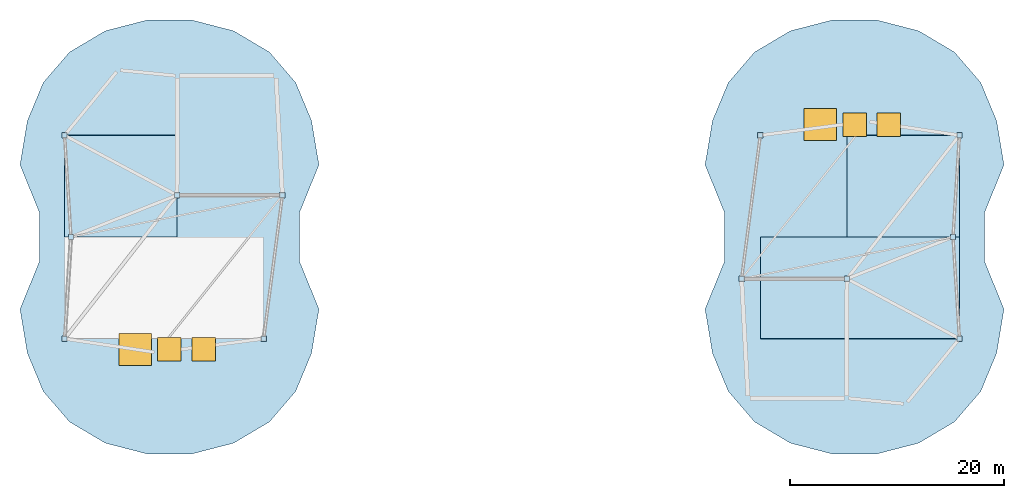
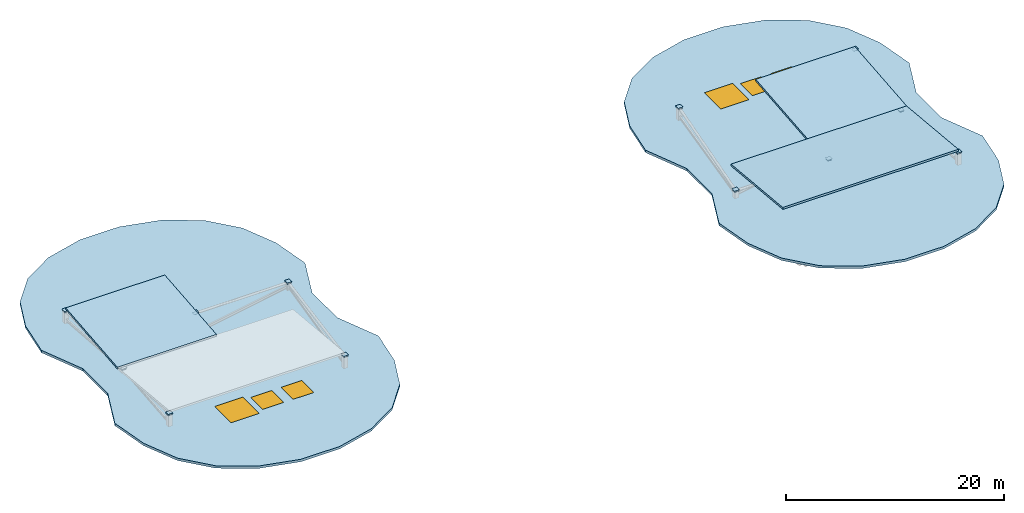
# One storey, part 6 of 6: 24 plates, 6 windows, 5 slabs, 6 openings.
"""IFC4 building model written with IfcOpenShell, lengths in metres."""

from ifc_helpers import new_model, si_unit, direction, frame, origin, origin_2d, place, context, subcontext, project, spatial, polyline, rectangle, outline, extrude, material, layer, layer_set, type_object, element, fill, save


model = new_model("IFC4")

# Units and contexts
model_context = context("Model", 3, precision=1e-05, world=origin(), true_north=direction((0.0, 1.0)))
body_context = subcontext(model_context, "Body", "Model", "MODEL_VIEW")
ifc_project = project(units=[si_unit("LENGTHUNIT", "METRE"), si_unit("AREAUNIT", "SQUARE_METRE"), si_unit("VOLUMEUNIT", "CUBIC_METRE"), si_unit("PLANEANGLEUNIT", "RADIAN"), si_unit("MASSUNIT", "GRAM", prefix="KILO"), si_unit("THERMODYNAMICTEMPERATUREUNIT", "KELVIN"), si_unit("POWERUNIT", "WATT")], contexts=[model_context])

# Site, building, storey
site_placement = place(None, origin())
site = spatial("IfcSite", under=ifc_project, at=site_placement, CompositionType="ELEMENT")
building_placement = place(site_placement, origin())
building = spatial("IfcBuilding", under=site, at=building_placement, Name="Cundina Bronze Exchange", CompositionType="ELEMENT")
storey_placement = place(building_placement, frame((0.0, 0.0, 291.60009765625)))
storey = spatial("IfcBuildingStorey", under=building, at=storey_placement, Name="RF", CompositionType="ELEMENT", Elevation=291.60009765625)

# Plates
ifc_material_1 = material(Name="Steel ASTM A572 Grade 50", Category="steel")
ifc_layer_1 = layer(ifc_material_1, 0.02001953125, Name="Steel ASTM A572 Grade 50", Category="steel")
ifc_layer_set_1 = layer_set([ifc_layer_1], Name="Steel ASTM A572 Grade 50")
plate_type_1 = type_object("IfcPlateType", Name="PLT-CAP-STL20", PredefinedType="USERDEFINED", material=ifc_layer_set_1)
for number, where, z_axis, x_axis, name in (
    (1, (-41.199951171875, 0.0, 0.35986328125), (0.0, 0.0, 1.0), (1.0, 0.0, 0.0), "RF Leg W V-Notch Sloped Rafter NW End Cap Plate 1"),
    (2, (-41.800048828125, 9.5, 1.262451171875), (0.0, 0.0, 1.0), (1.0, 0.0, 0.0), "RF Leg W V-Notch Sloped Rafter NW End Cap Plate 2"),
    (3, (-21.449951171875, 3.89990234375, 0.73046875), (0.0, 0.0, 1.0), (1.0, 0.0, 0.0), "RF Leg W V-Notch Sloped Rafter NE End Cap Plate 1"),
    (4, (-31.300048828125, 3.89990234375, 0.73046875), (0.0, 0.0, 1.0), (1.0, 0.0, 0.0), "RF Leg W V-Notch Sloped Rafter NE End Cap Plate 2"),
    (5, (-41.800048828125, -9.5, 1.262451171875), (0.0, 0.0, 1.0), (1.0, 0.0, 0.0), "RF Leg W V-Notch Sloped Rafter SW End Cap Plate 2"),
    (6, (-23.199951171875, -9.5, 1.262451171875), (0.0, 0.0, 1.0), (1.0, 0.0, 0.0), "RF Leg W V-Notch Sloped Rafter SE End Cap Plate 2"),
    (7, (41.199951171875, 0.0, 0.35986328125), (0.0, 0.0, 1.0), (1.0, 0.0, 0.0), "RF Leg E V-Notch Sloped Rafter NW End Cap Plate 1"),
    (8, (41.800048828125, -9.5, 1.262451171875), (0.0, 0.0, 1.0), (1.0, 0.0, 0.0), "RF Leg E V-Notch Sloped Rafter NW End Cap Plate 2"),
    (9, (21.449951171875, -3.89990234375, 0.73046875), (0.0, 0.0, 1.0), (1.0, 0.0, 0.0), "RF Leg E V-Notch Sloped Rafter NE End Cap Plate 1"),
    (10, (31.300048828125, -3.89990234375, 0.73046875), (0.0, 0.0, 1.0), (1.0, 0.0, 0.0), "RF Leg E V-Notch Sloped Rafter NE End Cap Plate 2"),
    (11, (41.800048828125, 9.5, 1.262451171875), (0.0, 0.0, 1.0), (1.0, 0.0, 0.0), "RF Leg E V-Notch Sloped Rafter SW End Cap Plate 2"),
    (12, (23.199951171875, 9.5, 1.262451171875), (0.0, 0.0, 1.0), (1.0, 0.0, 0.0), "RF Leg E V-Notch Sloped Rafter SE End Cap Plate 2"),
):
    element("IfcPlate", number, at=place(storey_placement, frame(where, z_axis=z_axis, x_axis=x_axis)), inside=storey, type_object=plate_type_1, Name=name, ObjectType="STIFFENER_PLATE", PredefinedType="USERDEFINED", context=body_context, shape_type="SweptSolid", body=[
        extrude(rectangle(XDim=0.449951171875, YDim=0.449951171875, at=origin_2d()), origin(), (0.0, 0.0, 1.0), 0.02001953125),
    ])
ifc_layer_2 = layer(ifc_material_1, 0.02490234375, Name="Steel ASTM A572 Grade 50", Category="steel")
ifc_layer_set_2 = layer_set([ifc_layer_2], Name="Steel ASTM A572 Grade 50")
plate_type_2 = type_object("IfcPlateType", Name="PLT-CAP-STL25", PredefinedType="USERDEFINED", material=ifc_layer_set_2)
for number, where, z_axis, x_axis, name in (
    (13, (-41.199951171875, 0.0, 0.49755859375), (0.0, 0.0, 1.0), (1.0, 0.0, 0.0), "RF Leg W V-Notch Pier Cap E0"),
    (14, (-21.449951171875, 3.89990234375, 0.867919921875), (0.0, 0.0, 1.0), (1.0, 0.0, 0.0), "RF Leg W V-Notch Pier Cap E1"),
    (15, (-41.800048828125, 9.5, 1.39990234375), (0.0, 0.0, 1.0), (1.0, 0.0, 0.0), "RF Leg W V-Notch Pier Cap RN0"),
    (16, (-31.300048828125, 3.89990234375, 0.867919921875), (0.0, 0.0, 1.0), (1.0, 0.0, 0.0), "RF Leg W V-Notch Pier Cap RN1"),
    (17, (-41.800048828125, -9.5, 1.39990234375), (0.0, 0.0, 1.0), (1.0, 0.0, 0.0), "RF Leg W V-Notch Pier Cap RS0"),
    (18, (-23.199951171875, -9.5, 1.39990234375), (0.0, 0.0, 1.0), (1.0, 0.0, 0.0), "RF Leg W V-Notch Pier Cap RS1"),
    (19, (41.199951171875, 0.0, 0.49755859375), (0.0, 0.0, 1.0), (1.0, 0.0, 0.0), "RF Leg E V-Notch Pier Cap E0"),
    (20, (21.449951171875, -3.89990234375, 0.867919921875), (0.0, 0.0, 1.0), (1.0, 0.0, 0.0), "RF Leg E V-Notch Pier Cap E1"),
    (21, (41.800048828125, -9.5, 1.39990234375), (0.0, 0.0, 1.0), (1.0, 0.0, 0.0), "RF Leg E V-Notch Pier Cap RN0"),
    (22, (31.300048828125, -3.89990234375, 0.867919921875), (0.0, 0.0, 1.0), (1.0, 0.0, 0.0), "RF Leg E V-Notch Pier Cap RN1"),
    (23, (41.800048828125, 9.5, 1.39990234375), (0.0, 0.0, 1.0), (1.0, 0.0, 0.0), "RF Leg E V-Notch Pier Cap RS0"),
    (24, (23.199951171875, 9.5, 1.39990234375), (0.0, 0.0, 1.0), (1.0, 0.0, 0.0), "RF Leg E V-Notch Pier Cap RS1"),
):
    element("IfcPlate", number, at=place(storey_placement, frame(where, z_axis=z_axis, x_axis=x_axis)), inside=storey, type_object=plate_type_2, Name=name, ObjectType="STIFFENER_PLATE", PredefinedType="USERDEFINED", context=body_context, shape_type="SweptSolid", body=[
        extrude(rectangle(XDim=0.5, YDim=0.5, at=origin_2d()), origin(), (0.0, 0.0, 1.0), 0.02490234375),
    ])

# Slabs
ifc_material_2 = material(Name="Heat-Strengthened Solar-Control Bronze Safety Glass 28mm", Category="glass")
ifc_layer_3 = layer(ifc_material_2, 0.2099609375, Name="Heat-Strengthened Solar-Control Bronze Safety Glass 28mm", Category="glass")
ifc_layer_set_3 = layer_set([ifc_layer_3], Name="Heat-Strengthened Solar-Control Bronze Safety Glass 28mm")
slab_type_1 = type_object("IfcSlabType", Name="SLB-GLZR-210", PredefinedType="ROOF", material=ifc_layer_set_3)
for number, where, z_axis, x_axis, name in (
    (25, (-41.800048828125, 0.0, 0.719970703125), (0.0, -0.094557965291, 0.995519357522), (1.0, 0.0, 0.0), "Crown W N Sloped V-Notch Glass Roof"),
    (26, (31.300048828125, 0.0, 0.719970703125), (0.0, -0.094557965291, 0.995519357522), (1.0, 0.0, 0.0), "Crown E N Sloped V-Notch Glass Roof"),
):
    element("IfcSlab", number, at=place(storey_placement, frame(where, z_axis=z_axis, x_axis=x_axis)), inside=storey, type_object=slab_type_1, Name=name, PredefinedType="ROOF", context=body_context, shape_type="SweptSolid", body=[
        extrude(outline(polyline([(0.0, 0.0), (10.5, 0.0), (10.5, 9.542757685447329), (0.0, 9.542757685447329), (0.0, 0.0)])), origin(), (0.0, 0.0, -1.0), 0.2099609375),
    ])
slab_1_placement = place(storey_placement, frame((41.800048828125, 0.0, 0.719970703125), z_axis=(0.0, 0.094557965291, 0.995519357522), x_axis=(-1.0, 0.0, 0.0)))
element("IfcSlab", 27, at=slab_1_placement, inside=storey, type_object=slab_type_1, Name="Crown E S Sloped V-Notch Glass Roof", PredefinedType="ROOF", context=body_context, shape_type="SweptSolid", body=[
    extrude(outline(polyline([(0.0, 0.0), (18.60009765625, 0.0), (18.60009765625, 9.542757685447329), (0.0, 9.542757685447329), (0.0, 0.0)])), origin(), (0.0, 0.0, -1.0), 0.2099609375),
])

# Slab, openings, windows
ifc_material_3 = material(Name="Concrete C50/60", Category="concrete")
ifc_layer_4 = layer(ifc_material_3, 0.27001953125, Name="Concrete C50/60", Category="concrete")
ifc_layer_set_4 = layer_set([ifc_layer_4], Name="Concrete C50/60")
slab_type_2 = type_object("IfcSlabType", Name="SLB-ROOF-270", PredefinedType="ROOF", material=ifc_layer_set_4)
slab_2_placement = place(storey_placement, frame((0.0, 0.0, -0.27001953125)))
slab_2 = element("IfcSlab", 28, at=slab_2_placement, inside=storey, type_object=slab_type_2, Name="RF Leg W Roof Slab", PredefinedType="ROOF", context=body_context, shape_type="SweptSolid", body=[
    extrude(outline(polyline([(-19.85205078125, 2.283935546875), (-18.035888671875, 6.738037109375), (-18.72509765625, 10.85302734375), (-20.208984375, 14.425048828125), (-22.660888671875, 17.27294921875), (-25.998046875, 19.2548828125), (-29.930908203125, 20.27197265625), (-34.069091796875, 20.27197265625), (-38.001953125, 19.2548828125), (-41.339111328125, 17.27294921875), (-43.791015625, 14.425048828125), (-45.27490234375, 10.85302734375), (-45.964111328125, 6.738037109375), (-44.14794921875, 2.283935546875), (-44.14794921875, -2.283935546875), (-45.964111328125, -6.738037109375), (-45.27490234375, -10.85302734375), (-43.791015625, -14.425048828125), (-41.339111328125, -17.27294921875), (-38.001953125, -19.2548828125), (-34.069091796875, -20.27197265625), (-29.930908203125, -20.27197265625), (-25.998046875, -19.2548828125), (-22.660888671875, -17.27294921875), (-20.208984375, -14.425048828125), (-18.72509765625, -10.85302734375), (-18.035888671875, -6.738037109375), (-19.85205078125, -2.283935546875), (-19.85205078125, 2.283935546875)]), holes=[polyline([(-36.699951171875, -9.0), (-33.699951171875, -9.0), (-33.699951171875, -12.0), (-36.699951171875, -12.0), (-36.699951171875, -9.0)]), polyline([(-29.89990234375, -9.39990234375), (-27.699951171875, -9.39990234375), (-27.699951171875, -11.60009765625), (-29.89990234375, -11.60009765625), (-29.89990234375, -9.39990234375)]), polyline([(-33.10009765625, -9.39990234375), (-30.89990234375, -9.39990234375), (-30.89990234375, -11.60009765625), (-33.10009765625, -11.60009765625), (-33.10009765625, -9.39990234375)])]), origin(), (0.0, 0.0, 1.0), 0.27001953125),
])
opening_1_placement = place(slab_2_placement, frame((-35.199951171875, -10.5, -0.010009765625)))
opening_1 = element("IfcOpeningElement", 29, at=opening_1_placement, cuts=slab_2, Name="Opening SK-01", PredefinedType="OPENING", context=body_context, shape_type="SweptSolid", body=[
    extrude(rectangle(XDim=3.0, YDim=3.0, at=origin_2d()), origin(), (0.0, 0.0, 1.0), 0.2900390625),
])
opening_2_placement = place(slab_2_placement, frame((-28.800048828125, -10.5, -0.010009765625)))
opening_2 = element("IfcOpeningElement", 30, at=opening_2_placement, cuts=slab_2, Name="Opening SK-02", PredefinedType="OPENING", context=body_context, shape_type="SweptSolid", body=[
    extrude(rectangle(XDim=2.199951171875, YDim=2.199951171875, at=origin_2d()), origin(), (0.0, 0.0, 1.0), 0.2900390625),
])
opening_3_placement = place(slab_2_placement, frame((-32.0, -10.5, -0.010009765625)))
opening_3 = element("IfcOpeningElement", 31, at=opening_3_placement, cuts=slab_2, Name="Opening SK-02", PredefinedType="OPENING", context=body_context, shape_type="SweptSolid", body=[
    extrude(rectangle(XDim=2.199951171875, YDim=2.199951171875, at=origin_2d()), origin(), (0.0, 0.0, 1.0), 0.2900390625),
])
window_type_1 = type_object("IfcWindowType", Name="WN-SKY-2200", PartitioningType="SINGLE_PANEL", PredefinedType="SKYLIGHT", material=ifc_material_2)
window_1_placement = place(slab_2_placement, frame((-28.800048828125, -10.5, 0.219970703125)))
window_1 = element("IfcWindow", 32, at=window_1_placement, inside=storey, type_object=window_type_1, Name="RF Leg W Crown Roof Skylight 2", OverallHeight=2.199951171875, OverallWidth=2.199951171875, PartitioningType="SINGLE_PANEL", PredefinedType="SKYLIGHT", context=body_context, shape_type="SweptSolid", body=[
    extrude(rectangle(XDim=2.199951171875, YDim=2.199951171875, at=origin_2d()), origin(), (0.0, 0.0, 1.0), 0.050048828125),
])
fill(opening_2, window_1)
window_2_placement = place(slab_2_placement, frame((-32.0, -10.5, 0.219970703125)))
window_2 = element("IfcWindow", 33, at=window_2_placement, inside=storey, type_object=window_type_1, Name="RF Leg W Crown Roof Skylight 3", OverallHeight=2.199951171875, OverallWidth=2.199951171875, PartitioningType="SINGLE_PANEL", PredefinedType="SKYLIGHT", context=body_context, shape_type="SweptSolid", body=[
    extrude(rectangle(XDim=2.199951171875, YDim=2.199951171875, at=origin_2d()), origin(), (0.0, 0.0, 1.0), 0.050048828125),
])
fill(opening_3, window_2)
window_type_2 = type_object("IfcWindowType", Name="WN-SKY-3000", PartitioningType="SINGLE_PANEL", PredefinedType="SKYLIGHT", material=ifc_material_2)
window_3_placement = place(slab_2_placement, frame((-35.199951171875, -10.5, 0.219970703125)))
window_3 = element("IfcWindow", 34, at=window_3_placement, inside=storey, type_object=window_type_2, Name="RF Leg W Crown Roof Skylight 1", OverallHeight=3.0, OverallWidth=3.0, PartitioningType="SINGLE_PANEL", PredefinedType="SKYLIGHT", context=body_context, shape_type="SweptSolid", body=[
    extrude(rectangle(XDim=3.0, YDim=3.0, at=origin_2d()), origin(), (0.0, 0.0, 1.0), 0.050048828125),
])
fill(opening_1, window_3)

slab_3_placement = place(storey_placement, frame((0.0, 0.0, -0.27001953125)))
slab_3 = element("IfcSlab", 35, at=slab_3_placement, inside=storey, type_object=slab_type_2, Name="RF Leg E Roof Slab", PredefinedType="ROOF", context=body_context, shape_type="SweptSolid", body=[
    extrude(outline(polyline([(44.14794921875, 2.283935546875), (45.964111328125, 6.738037109375), (45.27490234375, 10.85302734375), (43.791015625, 14.425048828125), (41.339111328125, 17.27294921875), (38.001953125, 19.2548828125), (34.069091796875, 20.27197265625), (29.930908203125, 20.27197265625), (25.998046875, 19.2548828125), (22.660888671875, 17.27294921875), (20.208984375, 14.425048828125), (18.72509765625, 10.85302734375), (18.035888671875, 6.738037109375), (19.85205078125, 2.283935546875), (19.85205078125, -2.283935546875), (18.035888671875, -6.738037109375), (18.72509765625, -10.85302734375), (20.208984375, -14.425048828125), (22.660888671875, -17.27294921875), (25.998046875, -19.2548828125), (29.930908203125, -20.27197265625), (34.069091796875, -20.27197265625), (38.001953125, -19.2548828125), (41.339111328125, -17.27294921875), (43.791015625, -14.425048828125), (45.27490234375, -10.85302734375), (45.964111328125, -6.738037109375), (44.14794921875, -2.283935546875), (44.14794921875, 2.283935546875)]), holes=[polyline([(27.300048828125, 12.0), (30.300048828125, 12.0), (30.300048828125, 9.0), (27.300048828125, 9.0), (27.300048828125, 12.0)]), polyline([(34.10009765625, 11.60009765625), (36.300048828125, 11.60009765625), (36.300048828125, 9.39990234375), (34.10009765625, 9.39990234375), (34.10009765625, 11.60009765625)]), polyline([(30.89990234375, 11.60009765625), (33.10009765625, 11.60009765625), (33.10009765625, 9.39990234375), (30.89990234375, 9.39990234375), (30.89990234375, 11.60009765625)])]), origin(), (0.0, 0.0, 1.0), 0.27001953125),
])
opening_4_placement = place(slab_3_placement, frame((28.800048828125, 10.5, -0.010009765625)))
opening_4 = element("IfcOpeningElement", 36, at=opening_4_placement, cuts=slab_3, Name="Opening SK-01", PredefinedType="OPENING", context=body_context, shape_type="SweptSolid", body=[
    extrude(rectangle(XDim=3.0, YDim=3.0, at=origin_2d()), origin(), (0.0, 0.0, 1.0), 0.2900390625),
])
opening_5_placement = place(slab_3_placement, frame((35.199951171875, 10.5, -0.010009765625)))
opening_5 = element("IfcOpeningElement", 37, at=opening_5_placement, cuts=slab_3, Name="Opening SK-02", PredefinedType="OPENING", context=body_context, shape_type="SweptSolid", body=[
    extrude(rectangle(XDim=2.199951171875, YDim=2.199951171875, at=origin_2d()), origin(), (0.0, 0.0, 1.0), 0.2900390625),
])
opening_6_placement = place(slab_3_placement, frame((32.0, 10.5, -0.010009765625)))
opening_6 = element("IfcOpeningElement", 38, at=opening_6_placement, cuts=slab_3, Name="Opening SK-02", PredefinedType="OPENING", context=body_context, shape_type="SweptSolid", body=[
    extrude(rectangle(XDim=2.199951171875, YDim=2.199951171875, at=origin_2d()), origin(), (0.0, 0.0, 1.0), 0.2900390625),
])
window_4_placement = place(slab_3_placement, frame((35.199951171875, 10.5, 0.219970703125)))
window_4 = element("IfcWindow", 39, at=window_4_placement, inside=storey, type_object=window_type_1, Name="RF Leg E Crown Roof Skylight 2", OverallHeight=2.199951171875, OverallWidth=2.199951171875, PartitioningType="SINGLE_PANEL", PredefinedType="SKYLIGHT", context=body_context, shape_type="SweptSolid", body=[
    extrude(rectangle(XDim=2.199951171875, YDim=2.199951171875, at=origin_2d()), origin(), (0.0, 0.0, 1.0), 0.050048828125),
])
fill(opening_5, window_4)
window_5_placement = place(slab_3_placement, frame((32.0, 10.5, 0.219970703125)))
window_5 = element("IfcWindow", 40, at=window_5_placement, inside=storey, type_object=window_type_1, Name="RF Leg E Crown Roof Skylight 3", OverallHeight=2.199951171875, OverallWidth=2.199951171875, PartitioningType="SINGLE_PANEL", PredefinedType="SKYLIGHT", context=body_context, shape_type="SweptSolid", body=[
    extrude(rectangle(XDim=2.199951171875, YDim=2.199951171875, at=origin_2d()), origin(), (0.0, 0.0, 1.0), 0.050048828125),
])
fill(opening_6, window_5)
window_6_placement = place(slab_3_placement, frame((28.800048828125, 10.5, 0.219970703125)))
window_6 = element("IfcWindow", 41, at=window_6_placement, inside=storey, type_object=window_type_2, Name="RF Leg E Crown Roof Skylight 1", OverallHeight=3.0, OverallWidth=3.0, PartitioningType="SINGLE_PANEL", PredefinedType="SKYLIGHT", context=body_context, shape_type="SweptSolid", body=[
    extrude(rectangle(XDim=3.0, YDim=3.0, at=origin_2d()), origin(), (0.0, 0.0, 1.0), 0.050048828125),
])
fill(opening_4, window_6)

save(model, "model.ifc")
